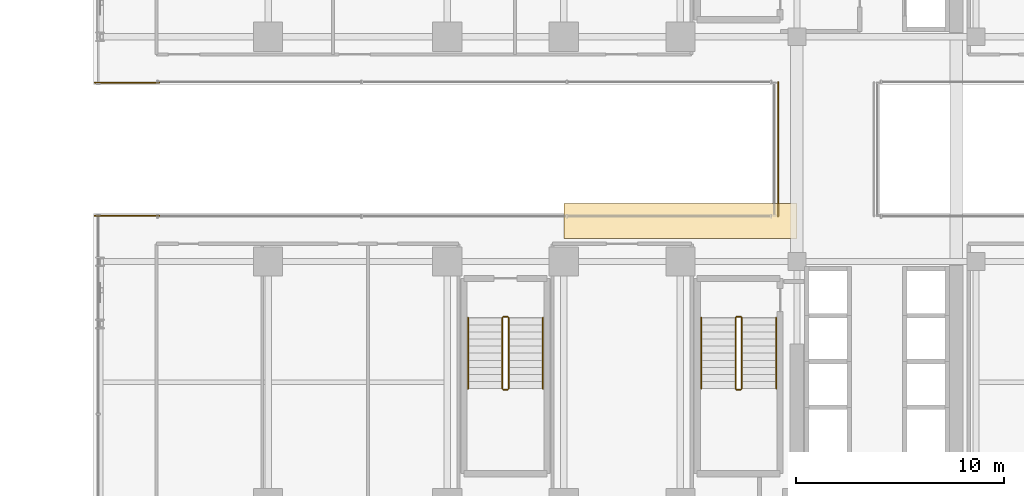
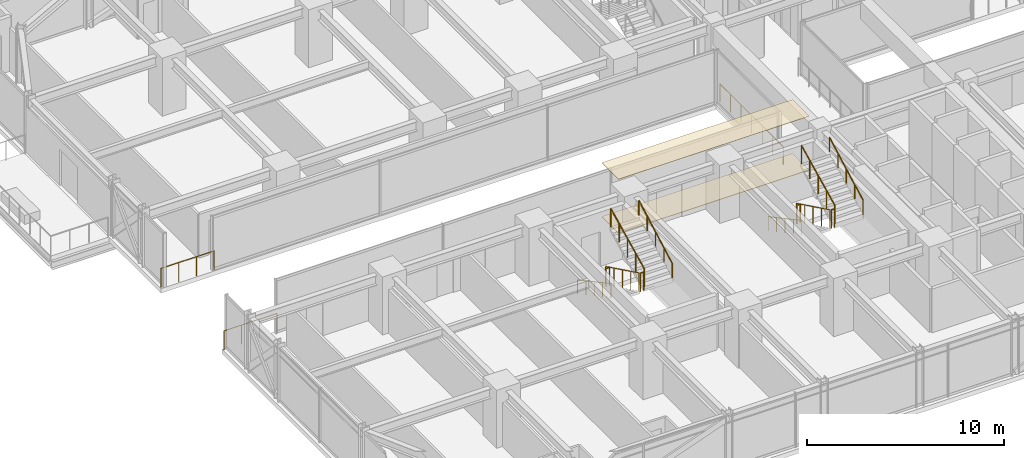
# One storey, part 40 of 43: 15 railings, 2 coverings.
"""IFC4 building model written with IfcOpenShell, lengths in metres."""

import ifcopenshell
import ifcopenshell.guid

model = None  # the IFC model being written
_history = None  # IfcOwnerHistory: only IFC2X3 demands one
_inside = {}  # id of a spatial element -> (the spatial element, [elements in it])
_under = {}  # id of a project, library or spatial element -> (it, [spatial elements below it])
_declared = {}  # id of a project -> (the project, [libraries it declares])
_typed = {}  # id of a type object -> (the type object, [elements of that type])
_made_of = {}  # id of a material, layer set ... -> (it, [elements and type objects made of it])


def new_model(schema):
    """Start an empty IFC model of exactly this schema.

    Asked for "IFC4X3", IfcOpenShell would pick the latest addendum, in which some entities
    have other attributes; the version numbers below select the first issue.
    IFC2X3 requires an IfcOwnerHistory on every rooted entity: one is made here for all.
    """
    global model, _history
    if schema == "IFC4X3":
        model = ifcopenshell.file(schema_version=(4, 3, 0, 0))
    else:
        model = ifcopenshell.file(schema=schema)
    _inside.clear()
    _under.clear()
    _declared.clear()
    _typed.clear()
    _made_of.clear()
    _history = None
    if model.schema == "IFC2X3":
        org = make("IfcOrganization", Name="unknown")
        user = make(
            "IfcPersonAndOrganization",
            ThePerson=make("IfcPerson", FamilyName="unknown"),
            TheOrganization=org,
        )
        app = make(
            "IfcApplication",
            ApplicationDeveloper=org,
            Version="unknown",
            ApplicationFullName="unknown",
            ApplicationIdentifier="unknown",
        )
        _history = make(
            "IfcOwnerHistory",
            OwningUser=user,
            OwningApplication=app,
            ChangeAction="ADDED",
            CreationDate=0,
        )
    return model


def make(cls, **values):
    """One entity of the class cls with the attributes given. An attribute that is None is left unset."""
    return model.create_entity(
        cls, **{name: value for name, value in values.items() if value is not None}
    )


def rooted(cls, **values):
    """An entity with a GlobalId (a new one), such as an element, a storey or a relation."""
    return make(cls, GlobalId=ifcopenshell.guid.new(), OwnerHistory=_history, **values)


def si_unit(unit_type, name, prefix=None):
    """IfcSIUnit, for example si_unit("LENGTHUNIT", "METRE", prefix="MILLI")."""
    return make("IfcSIUnit", UnitType=unit_type, Prefix=prefix, Name=name)


def assignment(units):
    """IfcUnitAssignment: the units of a project."""
    return None if units is None else make("IfcUnitAssignment", Units=units)


def point(xyz):
    """IfcCartesianPoint."""
    return None if xyz is None else make("IfcCartesianPoint", Coordinates=xyz)


def direction(xyz):
    """IfcDirection."""
    return None if xyz is None else make("IfcDirection", DirectionRatios=xyz)


def frame(location, z_axis=None, x_axis=None):
    """IfcAxis2Placement3D, a coordinate frame: its origin and axes. An axis left out is left unset."""
    return make(
        "IfcAxis2Placement3D",
        Location=point(location),
        Axis=direction(z_axis),
        RefDirection=direction(x_axis),
    )


def frame_2d(location, x_axis=None):
    """IfcAxis2Placement2D, a coordinate frame in the plane: its origin and x axis."""
    return make(
        "IfcAxis2Placement2D", Location=point(location), RefDirection=direction(x_axis)
    )


def origin():
    """The frame at (0, 0, 0) with its axes left unset."""
    return frame((0.0, 0.0, 0.0))


def origin_2d():
    """The frame at (0, 0) in the plane with its x axis left unset."""
    return frame_2d((0.0, 0.0))


def place(relative_to, where):
    """IfcLocalPlacement: puts the frame where relative to a parent placement (None: the world)."""
    return make(
        "IfcLocalPlacement", PlacementRelTo=relative_to, RelativePlacement=where
    )


def context(
    kind, dimensions, precision=None, world=None, true_north=None, identifier=None
):
    """IfcGeometricRepresentationContext, for example the 3D "Model" context."""
    return make(
        "IfcGeometricRepresentationContext",
        ContextIdentifier=identifier,
        ContextType=kind,
        CoordinateSpaceDimension=dimensions,
        Precision=precision,
        WorldCoordinateSystem=world,
        TrueNorth=true_north,
    )


def subcontext(parent, identifier, kind, view, scale=None):
    """IfcGeometricRepresentationSubContext, for example "Body" below "Model"."""
    return make(
        "IfcGeometricRepresentationSubContext",
        ContextIdentifier=identifier,
        ContextType=kind,
        ParentContext=parent,
        TargetScale=scale,
        TargetView=view,
    )


def project(units=None, contexts=None):
    """IfcProject with its units and contexts."""
    return rooted(
        "IfcProject",
        Name="project",
        RepresentationContexts=contexts,
        UnitsInContext=assignment(units),
    )


def spatial(cls, under=None, at=None, **own):
    """A site, building, storey or space (cls), placed at a placement, below another one or the project."""
    s = rooted(cls, ObjectPlacement=at, **own)
    if under is not None:
        _under.setdefault(under.id(), (under, []))[1].append(s)
    return s


def polyline(points):
    """IfcPolyline through the points."""
    return make("IfcPolyline", Points=[point(p) for p in points])


def profile(cls, at=None, kind="AREA", **sizes):
    """A parametric profile (cls). Its sizes go by their IFC names, for example OverallWidth=200.0."""
    return make(cls, ProfileType=kind, Position=at, **sizes)


def circle(**sizes):
    """IfcCircleProfileDef."""
    return profile("IfcCircleProfileDef", **sizes)


def outline(outer, holes=None, kind="AREA"):
    """IfcArbitraryClosedProfileDef: a profile drawn as a closed curve; with holes, ...WithVoids."""
    if holes is None:
        return make("IfcArbitraryClosedProfileDef", ProfileType=kind, OuterCurve=outer)
    return make(
        "IfcArbitraryProfileDefWithVoids",
        ProfileType=kind,
        OuterCurve=outer,
        InnerCurves=holes,
    )


def extrude(swept, where, along, depth):
    """IfcExtrudedAreaSolid: the profile swept, set in the frame where, extruded along a direction by depth."""
    return make(
        "IfcExtrudedAreaSolid",
        SweptArea=swept,
        Position=where,
        ExtrudedDirection=direction(along),
        Depth=depth,
    )


def shape(context_of_items, identifier, shape_type, items):
    """IfcShapeRepresentation: the items that make up one representation, for example the "Body"."""
    return make(
        "IfcShapeRepresentation",
        ContextOfItems=context_of_items,
        RepresentationIdentifier=identifier,
        RepresentationType=shape_type,
        Items=items,
    )


def material(Name=None, Category=None):
    """IfcMaterial."""
    return make("IfcMaterial", Name=Name, Category=Category)


def layer(
    of_material, thickness, ventilated=None, Name=None, Category=None, Priority=None
):
    """IfcMaterialLayer: one layer of a wall or slab, of a material (None: an air gap)."""
    return make(
        "IfcMaterialLayer",
        Material=of_material,
        LayerThickness=thickness,
        IsVentilated=ventilated,
        Name=Name,
        Category=Category,
        Priority=Priority,
    )


def layer_set(layers, Name=None):
    """IfcMaterialLayerSet."""
    return make("IfcMaterialLayerSet", MaterialLayers=layers, LayerSetName=Name)


def made_of(thing, what):
    """Note that an element or type object is made of a material, layer set ...; save() writes the relation."""
    if what is not None:
        _made_of.setdefault(what.id(), (what, []))[1].append(thing)
    return thing


def type_object(cls, material=None, **own):
    """A type object (cls), such as IfcWallType, which elements share."""
    return made_of(rooted(cls, **own), material)


def element(
    cls,
    number,
    at=None,
    inside=None,
    cuts=None,
    type_object=None,
    material=None,
    context=None,
    identifier="Body",
    shape_type=None,
    held_by="IfcProductDefinitionShape",
    body=None,
    shapes=None,
    **own,
):
    """One element of the class cls, such as IfcWall. Its Tag is "e" and its number.

    at: its placement. inside: the storey or other place that contains it. cuts: it is an
    opening in that element (IfcRelVoidsElement). A single representation is given by context,
    identifier, shape_type and body (its items); several are given by shapes. held_by: the class
    of the entity that holds the representations. save() writes the other relations.
    """
    e = rooted(cls, Tag="e%d" % number, ObjectPlacement=at, **own)
    if body is not None:
        shapes = [shape(context, identifier, shape_type, body)]
    if shapes is not None:
        e.Representation = make(held_by, Representations=shapes)
    if inside is not None:
        _inside.setdefault(inside.id(), (inside, []))[1].append(e)
    if cuts is not None:
        rooted(
            "IfcRelVoidsElement", RelatingBuildingElement=cuts, RelatedOpeningElement=e
        )
    if type_object is not None:
        _typed.setdefault(type_object.id(), (type_object, []))[1].append(e)
    return made_of(e, material)


def aggregate(whole, parts):
    """IfcRelAggregates: a whole, such as a stair, and the parts it consists of."""
    return rooted("IfcRelAggregates", RelatingObject=whole, RelatedObjects=parts)


def save(model, path):
    """Write the relations noted so far, then the file.

    IfcRelAggregates (storeys below a building ...), IfcRelContainedInSpatialStructure (elements
    in a storey), IfcRelDefinesByType, IfcRelAssociatesMaterial and IfcRelDeclares: one each for
    every whole, place, type object, material and project.
    """
    for whole, parts in _under.values():
        aggregate(whole, parts)
    for where, things in _inside.values():
        rooted(
            "IfcRelContainedInSpatialStructure",
            RelatedElements=things,
            RelatingStructure=where,
        )
    for kind, things in _typed.values():
        rooted("IfcRelDefinesByType", RelatedObjects=things, RelatingType=kind)
    for what, things in _made_of.values():
        rooted("IfcRelAssociatesMaterial", RelatedObjects=things, RelatingMaterial=what)
    for by, libraries in _declared.values():
        rooted("IfcRelDeclares", RelatingContext=by, RelatedDefinitions=libraries)
    model.write(path)


model = new_model("IFC4")

# Units and contexts
model_context = context("Model", 3, precision=1e-05, world=origin(), true_north=direction((0.0, 1.0)))
body_context = subcontext(model_context, "Body", "Model", "MODEL_VIEW")
ifc_project = project(units=[si_unit("LENGTHUNIT", "METRE"), si_unit("AREAUNIT", "SQUARE_METRE"), si_unit("VOLUMEUNIT", "CUBIC_METRE"), si_unit("PLANEANGLEUNIT", "RADIAN"), si_unit("MASSUNIT", "GRAM", prefix="KILO")], contexts=[model_context])

# Site, building, storey
site_placement = place(None, origin())
site = spatial("IfcSite", under=ifc_project, at=site_placement, CompositionType="ELEMENT")
building_placement = place(site_placement, origin())
building = spatial("IfcBuilding", under=site, at=building_placement, Name="Nahalor Promenade Grand Hotel", CompositionType="ELEMENT")
storey_placement = place(building_placement, frame((0.0, 0.0, 47.0)))
storey = spatial("IfcBuildingStorey", under=building, at=storey_placement, Name="L10", CompositionType="ELEMENT", Elevation=47.0)

# Covering
ifc_material_1 = material(Name="Acoustic Mineral Gypsum", Category="gypsum")
ifc_layer_1 = layer(ifc_material_1, 0.02490234375)
ifc_layer_set_1 = layer_set([ifc_layer_1], Name="Acoustic Mineral Gypsum")
covering_type_1 = type_object("IfcCoveringType", Name="Acoustic Suspended Ceiling Tile", PredefinedType="CEILING", material=ifc_layer_set_1)
covering_1_placement = place(storey_placement, frame((0.0, 0.0, 3.344970703125)))
element("IfcCovering", 1, at=covering_1_placement, inside=storey, type_object=covering_type_1, Name="CV-CEIL-L10", PredefinedType="CEILING", context=body_context, shape_type="SweptSolid", body=[
    extrude(outline(polyline([(-2.800048828125, -4.300048828125), (8.39990234375, -4.300048828125), (8.39990234375, -2.60009765625), (-2.800048828125, -2.60009765625), (-2.800048828125, -4.300048828125)])), origin(), (0.0, 0.0, 1.0), 0.025146484375),
])

# Railings
ifc_material_2 = material(Name="Anodised Bronze Aluminium EN AW-6063 T6", Category="aluminium")
railing_type_1 = type_object("IfcRailingType", Name="Bronze Balcony Guardrail 1200 mm", PredefinedType="GUARDRAIL", material=ifc_material_2)
for number, where, name in (
    (2, (-25.340087890625, -3.199951171875, 0.0), "L10 Oculus Void Edge Guardrail WS"),
    (3, (-25.340087890625, 3.199951171875, 0.0), "L10 Oculus Void Edge Guardrail WN"),
):
    element("IfcRailing", number, at=place(storey_placement, frame(where)), inside=storey, type_object=railing_type_1, Name=name, PredefinedType="GUARDRAIL", context=body_context, shape_type="SweptSolid", body=[
        extrude(circle(Radius=0.024048, at=origin_2d()), frame((0.0, 0.0, 1.17578125), z_axis=(1.0, 0.0, 0.0), x_axis=(0.0, 1.0, 0.0)), (0.0, 0.0, 1.0), 3.1201171875),
        extrude(circle(Radius=0.020996, at=origin_2d()), origin(), (0.0, 0.0, 1.0), 1.14990234375),
        extrude(circle(Radius=0.020996, at=origin_2d()), frame((1.0400390625, 0.0, 0.0)), (0.0, 0.0, 1.0), 1.14990234375),
        extrude(circle(Radius=0.020996, at=origin_2d()), frame((2.080078125, 0.0, 0.0)), (0.0, 0.0, 1.0), 1.14990234375),
        extrude(circle(Radius=0.020996, at=origin_2d()), frame((3.1201171875, 0.0, 0.0)), (0.0, 0.0, 1.0), 1.14990234375),
    ])
railing_type_2 = type_object("IfcRailingType", Name="Bronze Sky Balustrade 1150 mm", PredefinedType="BALUSTRADE", material=ifc_material_2)
railing_1_placement = place(storey_placement, frame((7.5, -3.219970703125, 0.0)))
element("IfcRailing", 4, at=railing_1_placement, inside=storey, type_object=railing_type_2, Name="BL-L10-BRG-W", PredefinedType="BALUSTRADE", context=body_context, shape_type="SweptSolid", body=[
    extrude(circle(Radius=0.024048, at=origin_2d()), frame((0.0, 0.0, 1.1259765625), z_axis=(0.0, 1.0, 0.0), x_axis=(-1.0, 0.0, 0.0)), (0.0, 0.0, 1.0), 6.43994140625),
    extrude(circle(Radius=0.020996, at=origin_2d()), origin(), (0.0, 0.0, 1.0), 1.099853515625),
    extrude(circle(Radius=0.020996, at=origin_2d()), frame((0.0, 1.0732421875, 0.0)), (0.0, 0.0, 1.0), 1.099853515625),
    extrude(circle(Radius=0.020996, at=origin_2d()), frame((0.0, 2.146728515625, 0.0)), (0.0, 0.0, 1.0), 1.099853515625),
    extrude(circle(Radius=0.020996, at=origin_2d()), frame((0.0, 3.219970703125, 0.0)), (0.0, 0.0, 1.0), 1.099853515625),
    extrude(circle(Radius=0.020996, at=origin_2d()), frame((0.0, 4.293212890625, 0.0)), (0.0, 0.0, 1.0), 1.099853515625),
    extrude(circle(Radius=0.020996, at=origin_2d()), frame((0.0, 5.36669921875, 0.0)), (0.0, 0.0, 1.0), 1.099853515625),
    extrude(circle(Radius=0.020996, at=origin_2d()), frame((0.0, 6.43994140625, 0.0)), (0.0, 0.0, 1.0), 1.099853515625),
])

# Covering
ifc_material_3 = material(Name="Jerusalem Limestone Flooring", Category="masonry")
ifc_layer_2 = layer(ifc_material_3, 0.030029296875)
ifc_layer_set_2 = layer_set([ifc_layer_2], Name="Jerusalem Limestone Flooring")
covering_type_2 = type_object("IfcCoveringType", Name="Honed Limestone Floor Finish", PredefinedType="FLOORING", material=ifc_layer_set_2)
covering_2_placement = place(storey_placement, origin())
element("IfcCovering", 5, at=covering_2_placement, inside=storey, type_object=covering_type_2, Name="CV-FLOR-L10", PredefinedType="FLOORING", context=body_context, shape_type="SweptSolid", body=[
    extrude(outline(polyline([(-2.800048828125, -4.300048828125), (8.39990234375, -4.300048828125), (8.39990234375, -2.60009765625), (-2.800048828125, -2.60009765625), (-2.800048828125, -4.300048828125)])), origin(), (0.0, 0.0, 1.0), 0.030029296875),
])

# Railings
ifc_material_4 = material(Name="Steel S355JR", Category="steel")
railing_type_3 = type_object("IfcRailingType", Name="Steel Stair Guardrail 1150 mm", PredefinedType="GUARDRAIL", material=ifc_material_4)
railing_2_placement = place(storey_placement, frame((5.449951171875, -8.10009765625, 0.166015625)))
element("IfcRailing", 6, at=railing_2_placement, inside=storey, type_object=railing_type_3, Name="L10 ST2 stair guard 1", PredefinedType="GUARDRAIL", context=body_context, shape_type="SweptSolid", body=[
    extrude(circle(Radius=0.024048, at=origin_2d()), frame((0.0, 0.0, 1.1259765625), z_axis=(0.0, -0.898721922897, 0.438518990814), x_axis=(1.0, 0.0, 0.0)), (0.0, 0.0, 1.0), 3.782958984375),
    extrude(circle(Radius=0.020996, at=origin_2d()), origin(), (0.0, 0.0, 1.0), 1.099853515625),
    extrude(circle(Radius=0.020996, at=origin_2d()), frame((0.0, -0.85009765625, 0.414794921875)), (0.0, 0.0, 1.0), 1.099853515625),
    extrude(circle(Radius=0.020996, at=origin_2d()), frame((0.0, -1.699951171875, 0.82958984375)), (0.0, 0.0, 1.0), 1.099853515625),
    extrude(circle(Radius=0.020996, at=origin_2d()), frame((0.0, -2.5498046875, 1.244140625)), (0.0, 0.0, 1.0), 1.099853515625),
    extrude(circle(Radius=0.020996, at=origin_2d()), frame((0.0, -3.39990234375, 1.658935546875)), (0.0, 0.0, 1.0), 1.099853515625),
])
railing_3_placement = place(storey_placement, frame((5.5, -11.550048828125, 1.824951171875)))
element("IfcRailing", 7, at=railing_3_placement, inside=storey, type_object=railing_type_3, Name="L10 ST2 stair guard 2", PredefinedType="GUARDRAIL", context=body_context, shape_type="SweptSolid", body=[
    extrude(circle(Radius=0.024048, at=origin_2d()), frame((0.0, 0.0, 1.1259765625), z_axis=(1.0, 0.0, 0.0), x_axis=(0.0, 1.0, 0.0)), (0.0, 0.0, 1.0), 0.199951171875),
    extrude(circle(Radius=0.020996, at=origin_2d()), origin(), (0.0, 0.0, 1.0), 1.099853515625),
    extrude(circle(Radius=0.020996, at=origin_2d()), frame((0.199951171875, 0.0, 0.0)), (0.0, 0.0, 1.0), 1.099853515625),
])
railing_4_placement = place(storey_placement, frame((5.75, -11.5, 1.990966796875)))
element("IfcRailing", 8, at=railing_4_placement, inside=storey, type_object=railing_type_3, Name="L10 ST2 stair guard 3", PredefinedType="GUARDRAIL", context=body_context, shape_type="SweptSolid", body=[
    extrude(circle(Radius=0.024048, at=origin_2d()), frame((0.0, 0.0, 1.1259765625), z_axis=(0.0, 0.898721922897, 0.438518990814), x_axis=(-1.0, 0.0, 0.0)), (0.0, 0.0, 1.0), 3.782958984375),
    extrude(circle(Radius=0.020996, at=origin_2d()), origin(), (0.0, 0.0, 1.0), 1.099853515625),
    extrude(circle(Radius=0.020996, at=origin_2d()), frame((0.0, 0.85009765625, 0.414794921875)), (0.0, 0.0, 1.0), 1.099853515625),
    extrude(circle(Radius=0.020996, at=origin_2d()), frame((0.0, 1.699951171875, 0.82958984375)), (0.0, 0.0, 1.0), 1.099853515625),
    extrude(circle(Radius=0.020996, at=origin_2d()), frame((0.0, 2.5498046875, 1.244140625)), (0.0, 0.0, 1.0), 1.099853515625),
    extrude(circle(Radius=0.020996, at=origin_2d()), frame((0.0, 3.39990234375, 1.658935546875)), (0.0, 0.0, 1.0), 1.099853515625),
])
railing_5_placement = place(storey_placement, frame((5.5, -8.050048828125, 0.0)))
element("IfcRailing", 9, at=railing_5_placement, inside=storey, type_object=railing_type_3, Name="L10 ST2 stair guard 4", PredefinedType="GUARDRAIL", context=body_context, shape_type="SweptSolid", body=[
    extrude(circle(Radius=0.024048, at=origin_2d()), frame((0.0, 0.0, 1.1259765625), z_axis=(1.0, 0.0, 0.0), x_axis=(0.0, 1.0, 0.0)), (0.0, 0.0, 1.0), 0.199951171875),
    extrude(circle(Radius=0.020996, at=origin_2d()), origin(), (0.0, 0.0, 1.0), 1.099853515625),
    extrude(circle(Radius=0.020996, at=origin_2d()), frame((0.199951171875, 0.0, 0.0)), (0.0, 0.0, 1.0), 1.099853515625),
])
railing_6_placement = place(storey_placement, frame((-5.75, -8.10009765625, 0.166015625)))
element("IfcRailing", 10, at=railing_6_placement, inside=storey, type_object=railing_type_3, Name="L10 ST3 stair guard 1", PredefinedType="GUARDRAIL", context=body_context, shape_type="SweptSolid", body=[
    extrude(circle(Radius=0.024048, at=origin_2d()), frame((0.0, 0.0, 1.1259765625), z_axis=(0.0, -0.898721922897, 0.438518990814), x_axis=(1.0, 0.0, 0.0)), (0.0, 0.0, 1.0), 3.782958984375),
    extrude(circle(Radius=0.020996, at=origin_2d()), origin(), (0.0, 0.0, 1.0), 1.099853515625),
    extrude(circle(Radius=0.020996, at=origin_2d()), frame((0.0, -0.85009765625, 0.414794921875)), (0.0, 0.0, 1.0), 1.099853515625),
    extrude(circle(Radius=0.020996, at=origin_2d()), frame((0.0, -1.699951171875, 0.82958984375)), (0.0, 0.0, 1.0), 1.099853515625),
    extrude(circle(Radius=0.020996, at=origin_2d()), frame((0.0, -2.5498046875, 1.244140625)), (0.0, 0.0, 1.0), 1.099853515625),
    extrude(circle(Radius=0.020996, at=origin_2d()), frame((0.0, -3.39990234375, 1.658935546875)), (0.0, 0.0, 1.0), 1.099853515625),
])
railing_7_placement = place(storey_placement, frame((-5.699951171875, -11.550048828125, 1.824951171875)))
element("IfcRailing", 11, at=railing_7_placement, inside=storey, type_object=railing_type_3, Name="L10 ST3 stair guard 2", PredefinedType="GUARDRAIL", context=body_context, shape_type="SweptSolid", body=[
    extrude(circle(Radius=0.024048, at=origin_2d()), frame((0.0, 0.0, 1.1259765625), z_axis=(1.0, 0.0, 0.0), x_axis=(0.0, 1.0, 0.0)), (0.0, 0.0, 1.0), 0.199951171875),
    extrude(circle(Radius=0.020996, at=origin_2d()), origin(), (0.0, 0.0, 1.0), 1.099853515625),
    extrude(circle(Radius=0.020996, at=origin_2d()), frame((0.199951171875, 0.0, 0.0)), (0.0, 0.0, 1.0), 1.099853515625),
])
railing_8_placement = place(storey_placement, frame((-5.449951171875, -11.5, 1.990966796875)))
element("IfcRailing", 12, at=railing_8_placement, inside=storey, type_object=railing_type_3, Name="L10 ST3 stair guard 3", PredefinedType="GUARDRAIL", context=body_context, shape_type="SweptSolid", body=[
    extrude(circle(Radius=0.024048, at=origin_2d()), frame((0.0, 0.0, 1.1259765625), z_axis=(0.0, 0.898721922897, 0.438518990814), x_axis=(-1.0, 0.0, 0.0)), (0.0, 0.0, 1.0), 3.782958984375),
    extrude(circle(Radius=0.020996, at=origin_2d()), origin(), (0.0, 0.0, 1.0), 1.099853515625),
    extrude(circle(Radius=0.020996, at=origin_2d()), frame((0.0, 0.85009765625, 0.414794921875)), (0.0, 0.0, 1.0), 1.099853515625),
    extrude(circle(Radius=0.020996, at=origin_2d()), frame((0.0, 1.699951171875, 0.82958984375)), (0.0, 0.0, 1.0), 1.099853515625),
    extrude(circle(Radius=0.020996, at=origin_2d()), frame((0.0, 2.5498046875, 1.244140625)), (0.0, 0.0, 1.0), 1.099853515625),
    extrude(circle(Radius=0.020996, at=origin_2d()), frame((0.0, 3.39990234375, 1.658935546875)), (0.0, 0.0, 1.0), 1.099853515625),
])
railing_9_placement = place(storey_placement, frame((-5.699951171875, -8.050048828125, 0.0)))
element("IfcRailing", 13, at=railing_9_placement, inside=storey, type_object=railing_type_3, Name="L10 ST3 stair guard 4", PredefinedType="GUARDRAIL", context=body_context, shape_type="SweptSolid", body=[
    extrude(circle(Radius=0.024048, at=origin_2d()), frame((0.0, 0.0, 1.1259765625), z_axis=(1.0, 0.0, 0.0), x_axis=(0.0, 1.0, 0.0)), (0.0, 0.0, 1.0), 0.199951171875),
    extrude(circle(Radius=0.020996, at=origin_2d()), origin(), (0.0, 0.0, 1.0), 1.099853515625),
    extrude(circle(Radius=0.020996, at=origin_2d()), frame((0.199951171875, 0.0, 0.0)), (0.0, 0.0, 1.0), 1.099853515625),
])
railing_type_4 = type_object("IfcRailingType", Name="Steel Stair Handrail 900 mm", PredefinedType="HANDRAIL", material=ifc_material_4)
railing_10_placement = place(storey_placement, frame((3.800048828125, -8.10009765625, 0.166015625)))
element("IfcRailing", 14, at=railing_10_placement, inside=storey, type_object=railing_type_4, Name="L10 ST2 stair handrail 1", PredefinedType="HANDRAIL", context=body_context, shape_type="SweptSolid", body=[
    extrude(circle(Radius=0.024048, at=origin_2d()), frame((0.0, 0.0, 0.8759765625), z_axis=(0.0, -0.881094038095, 0.47294111265), x_axis=(1.0, 0.0, 0.0)), (0.0, 0.0, 1.0), 3.858642578125),
    extrude(circle(Radius=0.020996, at=origin_2d()), origin(), (0.0, 0.0, 1.0), 0.849853515625),
    extrude(circle(Radius=0.020996, at=origin_2d()), frame((0.0, -0.85009765625, 0.456298828125)), (0.0, 0.0, 1.0), 0.849853515625),
    extrude(circle(Radius=0.020996, at=origin_2d()), frame((0.0, -1.699951171875, 0.91259765625)), (0.0, 0.0, 1.0), 0.849853515625),
    extrude(circle(Radius=0.020996, at=origin_2d()), frame((0.0, -2.5498046875, 1.36865234375)), (0.0, 0.0, 1.0), 0.849853515625),
    extrude(circle(Radius=0.020996, at=origin_2d()), frame((0.0, -3.39990234375, 1.824951171875)), (0.0, 0.0, 1.0), 0.849853515625),
])
railing_11_placement = place(storey_placement, frame((7.39990234375, -11.5, 1.990966796875)))
element("IfcRailing", 15, at=railing_11_placement, inside=storey, type_object=railing_type_4, Name="L10 ST2 stair handrail 2", PredefinedType="HANDRAIL", context=body_context, shape_type="SweptSolid", body=[
    extrude(circle(Radius=0.024048, at=origin_2d()), frame((0.0, 0.0, 0.8759765625), z_axis=(0.0, 0.881094038095, 0.47294111265), x_axis=(-1.0, 0.0, 0.0)), (0.0, 0.0, 1.0), 3.858642578125),
    extrude(circle(Radius=0.020996, at=origin_2d()), origin(), (0.0, 0.0, 1.0), 0.849853515625),
    extrude(circle(Radius=0.020996, at=origin_2d()), frame((0.0, 0.85009765625, 0.456298828125)), (0.0, 0.0, 1.0), 0.849853515625),
    extrude(circle(Radius=0.020996, at=origin_2d()), frame((0.0, 1.699951171875, 0.91259765625)), (0.0, 0.0, 1.0), 0.849853515625),
    extrude(circle(Radius=0.020996, at=origin_2d()), frame((0.0, 2.5498046875, 1.36865234375)), (0.0, 0.0, 1.0), 0.849853515625),
    extrude(circle(Radius=0.020996, at=origin_2d()), frame((0.0, 3.39990234375, 1.824951171875)), (0.0, 0.0, 1.0), 0.849853515625),
])
railing_12_placement = place(storey_placement, frame((-7.39990234375, -8.10009765625, 0.166015625)))
element("IfcRailing", 16, at=railing_12_placement, inside=storey, type_object=railing_type_4, Name="L10 ST3 stair handrail 1", PredefinedType="HANDRAIL", context=body_context, shape_type="SweptSolid", body=[
    extrude(circle(Radius=0.024048, at=origin_2d()), frame((0.0, 0.0, 0.8759765625), z_axis=(0.0, -0.881094038095, 0.47294111265), x_axis=(1.0, 0.0, 0.0)), (0.0, 0.0, 1.0), 3.858642578125),
    extrude(circle(Radius=0.020996, at=origin_2d()), origin(), (0.0, 0.0, 1.0), 0.849853515625),
    extrude(circle(Radius=0.020996, at=origin_2d()), frame((0.0, -0.85009765625, 0.456298828125)), (0.0, 0.0, 1.0), 0.849853515625),
    extrude(circle(Radius=0.020996, at=origin_2d()), frame((0.0, -1.699951171875, 0.91259765625)), (0.0, 0.0, 1.0), 0.849853515625),
    extrude(circle(Radius=0.020996, at=origin_2d()), frame((0.0, -2.5498046875, 1.36865234375)), (0.0, 0.0, 1.0), 0.849853515625),
    extrude(circle(Radius=0.020996, at=origin_2d()), frame((0.0, -3.39990234375, 1.824951171875)), (0.0, 0.0, 1.0), 0.849853515625),
])
railing_13_placement = place(storey_placement, frame((-3.800048828125, -11.5, 1.990966796875)))
element("IfcRailing", 17, at=railing_13_placement, inside=storey, type_object=railing_type_4, Name="L10 ST3 stair handrail 2", PredefinedType="HANDRAIL", context=body_context, shape_type="SweptSolid", body=[
    extrude(circle(Radius=0.024048, at=origin_2d()), frame((0.0, 0.0, 0.8759765625), z_axis=(0.0, 0.881094038095, 0.47294111265), x_axis=(-1.0, 0.0, 0.0)), (0.0, 0.0, 1.0), 3.858642578125),
    extrude(circle(Radius=0.020996, at=origin_2d()), origin(), (0.0, 0.0, 1.0), 0.849853515625),
    extrude(circle(Radius=0.020996, at=origin_2d()), frame((0.0, 0.85009765625, 0.456298828125)), (0.0, 0.0, 1.0), 0.849853515625),
    extrude(circle(Radius=0.020996, at=origin_2d()), frame((0.0, 1.699951171875, 0.91259765625)), (0.0, 0.0, 1.0), 0.849853515625),
    extrude(circle(Radius=0.020996, at=origin_2d()), frame((0.0, 2.5498046875, 1.36865234375)), (0.0, 0.0, 1.0), 0.849853515625),
    extrude(circle(Radius=0.020996, at=origin_2d()), frame((0.0, 3.39990234375, 1.824951171875)), (0.0, 0.0, 1.0), 0.849853515625),
])

save(model, "model.ifc")
